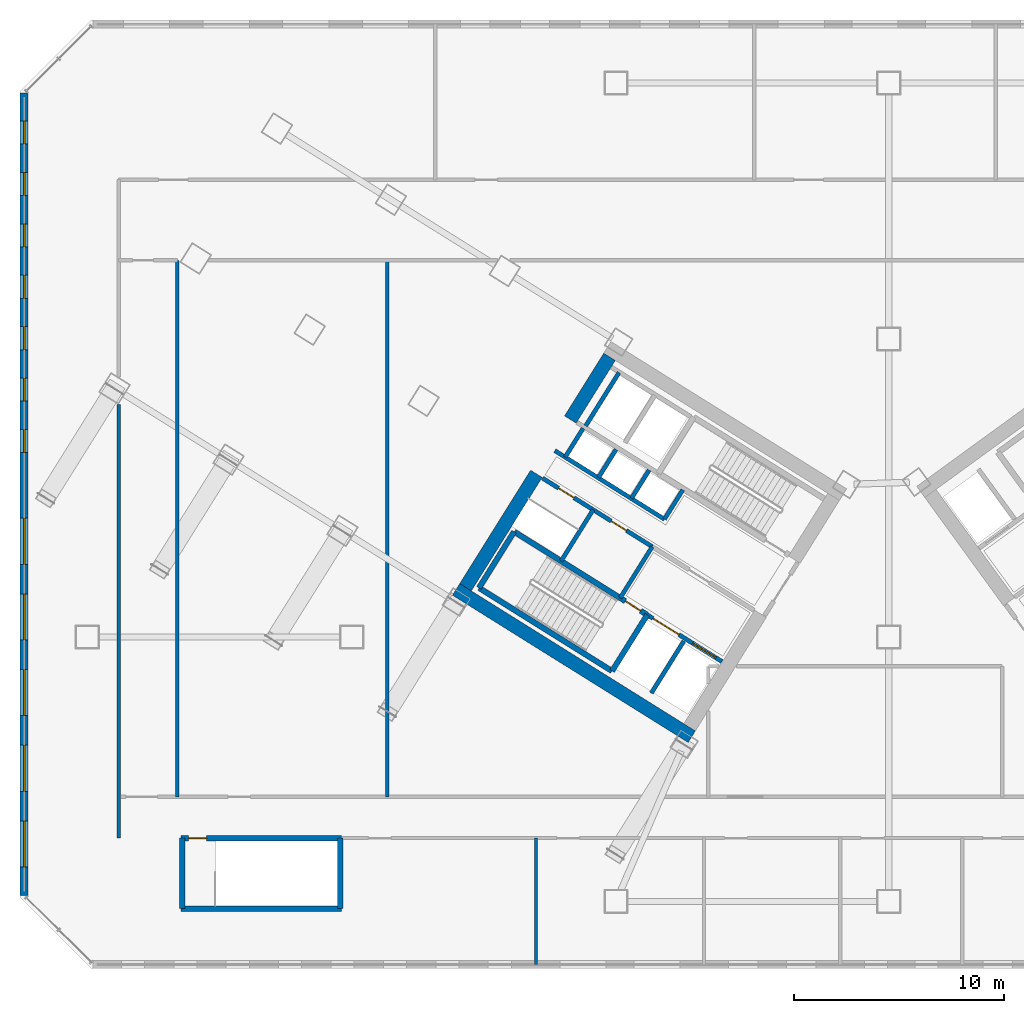
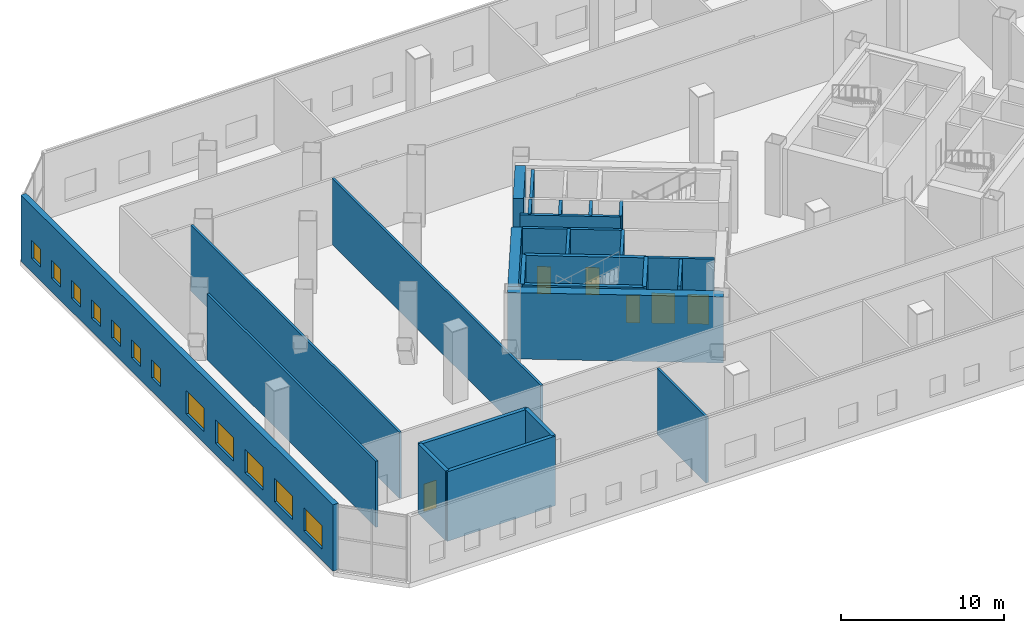
# One storey, part 13 of 23: 27 walls, 12 windows, 6 doors, 18 openings.
"""IFC4 building model written with IfcOpenShell, lengths in metres."""

import ifcopenshell
import ifcopenshell.guid

model = None  # the IFC model being written
_history = None  # IfcOwnerHistory: only IFC2X3 demands one
_inside = {}  # id of a spatial element -> (the spatial element, [elements in it])
_under = {}  # id of a project, library or spatial element -> (it, [spatial elements below it])
_declared = {}  # id of a project -> (the project, [libraries it declares])
_typed = {}  # id of a type object -> (the type object, [elements of that type])
_made_of = {}  # id of a material, layer set ... -> (it, [elements and type objects made of it])


def new_model(schema):
    """Start an empty IFC model of exactly this schema.

    Asked for "IFC4X3", IfcOpenShell would pick the latest addendum, in which some entities
    have other attributes; the version numbers below select the first issue.
    IFC2X3 requires an IfcOwnerHistory on every rooted entity: one is made here for all.
    """
    global model, _history
    if schema == "IFC4X3":
        model = ifcopenshell.file(schema_version=(4, 3, 0, 0))
    else:
        model = ifcopenshell.file(schema=schema)
    _inside.clear()
    _under.clear()
    _declared.clear()
    _typed.clear()
    _made_of.clear()
    _history = None
    if model.schema == "IFC2X3":
        org = make("IfcOrganization", Name="unknown")
        user = make(
            "IfcPersonAndOrganization",
            ThePerson=make("IfcPerson", FamilyName="unknown"),
            TheOrganization=org,
        )
        app = make(
            "IfcApplication",
            ApplicationDeveloper=org,
            Version="unknown",
            ApplicationFullName="unknown",
            ApplicationIdentifier="unknown",
        )
        _history = make(
            "IfcOwnerHistory",
            OwningUser=user,
            OwningApplication=app,
            ChangeAction="ADDED",
            CreationDate=0,
        )
    return model


def make(cls, **values):
    """One entity of the class cls with the attributes given. An attribute that is None is left unset."""
    return model.create_entity(
        cls, **{name: value for name, value in values.items() if value is not None}
    )


def rooted(cls, **values):
    """An entity with a GlobalId (a new one), such as an element, a storey or a relation."""
    return make(cls, GlobalId=ifcopenshell.guid.new(), OwnerHistory=_history, **values)


def si_unit(unit_type, name, prefix=None):
    """IfcSIUnit, for example si_unit("LENGTHUNIT", "METRE", prefix="MILLI")."""
    return make("IfcSIUnit", UnitType=unit_type, Prefix=prefix, Name=name)


def assignment(units):
    """IfcUnitAssignment: the units of a project."""
    return None if units is None else make("IfcUnitAssignment", Units=units)


def point(xyz):
    """IfcCartesianPoint."""
    return None if xyz is None else make("IfcCartesianPoint", Coordinates=xyz)


def direction(xyz):
    """IfcDirection."""
    return None if xyz is None else make("IfcDirection", DirectionRatios=xyz)


def frame(location, z_axis=None, x_axis=None):
    """IfcAxis2Placement3D, a coordinate frame: its origin and axes. An axis left out is left unset."""
    return make(
        "IfcAxis2Placement3D",
        Location=point(location),
        Axis=direction(z_axis),
        RefDirection=direction(x_axis),
    )


def frame_2d(location, x_axis=None):
    """IfcAxis2Placement2D, a coordinate frame in the plane: its origin and x axis."""
    return make(
        "IfcAxis2Placement2D", Location=point(location), RefDirection=direction(x_axis)
    )


def origin():
    """The frame at (0, 0, 0) with its axes left unset."""
    return frame((0.0, 0.0, 0.0))


def place(relative_to, where):
    """IfcLocalPlacement: puts the frame where relative to a parent placement (None: the world)."""
    return make(
        "IfcLocalPlacement", PlacementRelTo=relative_to, RelativePlacement=where
    )


def context(
    kind, dimensions, precision=None, world=None, true_north=None, identifier=None
):
    """IfcGeometricRepresentationContext, for example the 3D "Model" context."""
    return make(
        "IfcGeometricRepresentationContext",
        ContextIdentifier=identifier,
        ContextType=kind,
        CoordinateSpaceDimension=dimensions,
        Precision=precision,
        WorldCoordinateSystem=world,
        TrueNorth=true_north,
    )


def subcontext(parent, identifier, kind, view, scale=None):
    """IfcGeometricRepresentationSubContext, for example "Body" below "Model"."""
    return make(
        "IfcGeometricRepresentationSubContext",
        ContextIdentifier=identifier,
        ContextType=kind,
        ParentContext=parent,
        TargetScale=scale,
        TargetView=view,
    )


def project(units=None, contexts=None):
    """IfcProject with its units and contexts."""
    return rooted(
        "IfcProject",
        Name="project",
        RepresentationContexts=contexts,
        UnitsInContext=assignment(units),
    )


def spatial(cls, under=None, at=None, **own):
    """A site, building, storey or space (cls), placed at a placement, below another one or the project."""
    s = rooted(cls, ObjectPlacement=at, **own)
    if under is not None:
        _under.setdefault(under.id(), (under, []))[1].append(s)
    return s


def profile(cls, at=None, kind="AREA", **sizes):
    """A parametric profile (cls). Its sizes go by their IFC names, for example OverallWidth=200.0."""
    return make(cls, ProfileType=kind, Position=at, **sizes)


def rectangle(**sizes):
    """IfcRectangleProfileDef."""
    return profile("IfcRectangleProfileDef", **sizes)


def extrude(swept, where, along, depth):
    """IfcExtrudedAreaSolid: the profile swept, set in the frame where, extruded along a direction by depth."""
    return make(
        "IfcExtrudedAreaSolid",
        SweptArea=swept,
        Position=where,
        ExtrudedDirection=direction(along),
        Depth=depth,
    )


def shape(context_of_items, identifier, shape_type, items):
    """IfcShapeRepresentation: the items that make up one representation, for example the "Body"."""
    return make(
        "IfcShapeRepresentation",
        ContextOfItems=context_of_items,
        RepresentationIdentifier=identifier,
        RepresentationType=shape_type,
        Items=items,
    )


def source(mapping_origin, context_of_items, identifier, shape_type, items):
    """IfcRepresentationMap: a shape defined once, which mapped items show again and again."""
    return make(
        "IfcRepresentationMap",
        MappingOrigin=mapping_origin,
        MappedRepresentation=shape(context_of_items, identifier, shape_type, items),
    )


def transform(
    local_origin,
    x_axis=None,
    y_axis=None,
    z_axis=None,
    scale=None,
    scale2=None,
    scale3=None,
    uniform=True,
):
    """IfcCartesianTransformationOperator3D, or its non-uniform kind. x_axis, y_axis, z_axis: its Axis1, 2, 3."""
    if uniform:
        return make(
            "IfcCartesianTransformationOperator3D",
            Axis1=direction(x_axis),
            Axis2=direction(y_axis),
            LocalOrigin=point(local_origin),
            Scale=scale,
            Axis3=direction(z_axis),
        )
    return make(
        "IfcCartesianTransformationOperator3DnonUniform",
        Axis1=direction(x_axis),
        Axis2=direction(y_axis),
        LocalOrigin=point(local_origin),
        Scale=scale,
        Axis3=direction(z_axis),
        Scale2=scale2,
        Scale3=scale3,
    )


def mapped(mapping_source, mapping_target):
    """IfcMappedItem: shows the shape of a source again, moved by a transform."""
    return make(
        "IfcMappedItem", MappingSource=mapping_source, MappingTarget=mapping_target
    )


def material(Name=None, Category=None):
    """IfcMaterial."""
    return make("IfcMaterial", Name=Name, Category=Category)


def layer(
    of_material, thickness, ventilated=None, Name=None, Category=None, Priority=None
):
    """IfcMaterialLayer: one layer of a wall or slab, of a material (None: an air gap)."""
    return make(
        "IfcMaterialLayer",
        Material=of_material,
        LayerThickness=thickness,
        IsVentilated=ventilated,
        Name=Name,
        Category=Category,
        Priority=Priority,
    )


def layer_set(layers, Name=None):
    """IfcMaterialLayerSet."""
    return make("IfcMaterialLayerSet", MaterialLayers=layers, LayerSetName=Name)


def made_of(thing, what):
    """Note that an element or type object is made of a material, layer set ...; save() writes the relation."""
    if what is not None:
        _made_of.setdefault(what.id(), (what, []))[1].append(thing)
    return thing


def type_object(cls, material=None, **own):
    """A type object (cls), such as IfcWallType, which elements share."""
    return made_of(rooted(cls, **own), material)


def element(
    cls,
    number,
    at=None,
    inside=None,
    cuts=None,
    type_object=None,
    material=None,
    context=None,
    identifier="Body",
    shape_type=None,
    held_by="IfcProductDefinitionShape",
    body=None,
    shapes=None,
    **own,
):
    """One element of the class cls, such as IfcWall. Its Tag is "e" and its number.

    at: its placement. inside: the storey or other place that contains it. cuts: it is an
    opening in that element (IfcRelVoidsElement). A single representation is given by context,
    identifier, shape_type and body (its items); several are given by shapes. held_by: the class
    of the entity that holds the representations. save() writes the other relations.
    """
    e = rooted(cls, Tag="e%d" % number, ObjectPlacement=at, **own)
    if body is not None:
        shapes = [shape(context, identifier, shape_type, body)]
    if shapes is not None:
        e.Representation = make(held_by, Representations=shapes)
    if inside is not None:
        _inside.setdefault(inside.id(), (inside, []))[1].append(e)
    if cuts is not None:
        rooted(
            "IfcRelVoidsElement", RelatingBuildingElement=cuts, RelatedOpeningElement=e
        )
    if type_object is not None:
        _typed.setdefault(type_object.id(), (type_object, []))[1].append(e)
    return made_of(e, material)


def fill(opening, filler):
    """IfcRelFillsElement: the door or window that sits in an opening."""
    return rooted(
        "IfcRelFillsElement",
        RelatingOpeningElement=opening,
        RelatedBuildingElement=filler,
    )


def aggregate(whole, parts):
    """IfcRelAggregates: a whole, such as a stair, and the parts it consists of."""
    return rooted("IfcRelAggregates", RelatingObject=whole, RelatedObjects=parts)


def save(model, path):
    """Write the relations noted so far, then the file.

    IfcRelAggregates (storeys below a building ...), IfcRelContainedInSpatialStructure (elements
    in a storey), IfcRelDefinesByType, IfcRelAssociatesMaterial and IfcRelDeclares: one each for
    every whole, place, type object, material and project.
    """
    for whole, parts in _under.values():
        aggregate(whole, parts)
    for where, things in _inside.values():
        rooted(
            "IfcRelContainedInSpatialStructure",
            RelatedElements=things,
            RelatingStructure=where,
        )
    for kind, things in _typed.values():
        rooted("IfcRelDefinesByType", RelatedObjects=things, RelatingType=kind)
    for what, things in _made_of.values():
        rooted("IfcRelAssociatesMaterial", RelatedObjects=things, RelatingMaterial=what)
    for by, libraries in _declared.values():
        rooted("IfcRelDeclares", RelatingContext=by, RelatedDefinitions=libraries)
    model.write(path)


model = new_model("IFC4")

# Units and contexts
model_context = context("Model", 3, precision=1e-05, world=origin(), true_north=direction((0.0, 1.0)))
body_context = subcontext(model_context, "Body", "Model", "MODEL_VIEW")
ifc_project = project(units=[si_unit("LENGTHUNIT", "METRE"), si_unit("AREAUNIT", "SQUARE_METRE"), si_unit("VOLUMEUNIT", "CUBIC_METRE"), si_unit("PLANEANGLEUNIT", "RADIAN"), si_unit("MASSUNIT", "GRAM", prefix="KILO")], contexts=[model_context])

# Site, building, storey
site_placement = place(None, origin())
site = spatial("IfcSite", under=ifc_project, at=site_placement, CompositionType="ELEMENT")
building_placement = place(site_placement, origin())
building = spatial("IfcBuilding", under=site, at=building_placement, Name="Tlacorven Tower", CompositionType="ELEMENT")
storey_placement = place(building_placement, frame((0.0, 0.0, 18.60009765625)))
storey = spatial("IfcBuildingStorey", under=building, at=storey_placement, Name="L04", CompositionType="ELEMENT", Elevation=18.60009765625)

# Walls
ifc_material_1 = material(Name="Concrete C60/75", Category="concrete")
ifc_layer_1 = layer(ifc_material_1, 0.64990234375)
ifc_layer_set_1 = layer_set([ifc_layer_1], Name="Concrete C60/75")
wall_type_1 = type_object("IfcWallType", Name="WL-COR-650", PredefinedType="SHEAR", material=ifc_layer_set_1)
wall_1_placement = place(storey_placement, frame((33.40869140625, 12.449951171875, 0.0), z_axis=(0.0, 0.0, 1.0), x_axis=(-0.848051132073, 0.529914405721, 0.0)))
element("IfcWall", 1, at=wall_1_placement, inside=storey, type_object=wall_type_1, Name="L04 W core shear wall S2", PredefinedType="SHEAR", context=body_context, shape_type="SweptSolid", body=[
    extrude(rectangle(XDim=13.239990234375, YDim=0.64990234375, at=frame_2d((6.6201171875, 0.0))), origin(), (0.0, 0.0, 1.0), 4.949951171875),
])
wall_2_placement = place(storey_placement, frame((29.49072265625, 30.5517578125, 0.0), z_axis=(0.0, 0.0, 1.0), x_axis=(-0.529893103397, -0.8480644427, 0.0)))
element("IfcWall", 2, at=wall_2_placement, inside=storey, type_object=wall_type_1, Name="L04 W core end wall E2.1", PredefinedType="SHEAR", context=body_context, shape_type="SweptSolid", body=[
    extrude(rectangle(XDim=3.525146484375, YDim=0.64990234375, at=frame_2d((1.7626953125, 0.0))), origin(), (0.0, 0.0, 1.0), 4.949951171875),
])
wall_3_placement = place(storey_placement, frame((26.006591796875, 24.975830078125, 0.0), z_axis=(0.0, 0.0, 1.0), x_axis=(-0.529916319127, -0.848049936456, 0.0)))
element("IfcWall", 3, at=wall_3_placement, inside=storey, type_object=wall_type_1, Name="L04 W core end wall E2.2", PredefinedType="SHEAR", context=body_context, shape_type="SweptSolid", body=[
    extrude(rectangle(XDim=6.375, YDim=0.64990234375, at=frame_2d((3.1875, 0.0))), origin(), (0.0, 0.0, 1.0), 4.949951171875),
])
ifc_material_2 = material(Name="Gypsum plasterboard acoustic partition", Category="gypsum")
ifc_layer_2 = layer(ifc_material_2, 0.159912109375)
ifc_layer_set_2 = layer_set([ifc_layer_2], Name="Gypsum plasterboard acoustic partition")
wall_type_2 = type_object("IfcWallType", Name="WL-DEM-160", PredefinedType="PARTITIONING", material=ifc_layer_set_2)
wall_4_placement = place(storey_placement, frame((25.989990234375, 1.60009765625, 0.0), z_axis=(0.0, 0.0, 1.0), x_axis=(0.0, 1.0, 0.0)))
element("IfcWall", 4, at=wall_4_placement, inside=storey, type_object=wall_type_2, Name="L04 partition 67", PredefinedType="PARTITIONING", context=body_context, shape_type="SweptSolid", body=[
    extrude(rectangle(XDim=6.02001953125, YDim=0.159912109375, at=frame_2d((3.010009765625, 0.0))), origin(), (0.0, 0.0, 1.0), 4.93994140625),
])
wall_5_placement = place(storey_placement, frame((6.10009765625, 7.6201171875, 0.0), z_axis=(0.0, 0.0, 1.0), x_axis=(0.0, 1.0, 0.0)))
element("IfcWall", 5, at=wall_5_placement, inside=storey, type_object=wall_type_2, Name="L04 partition 73", PredefinedType="PARTITIONING", context=body_context, shape_type="SweptSolid", body=[
    extrude(rectangle(XDim=20.669921875, YDim=0.159912109375, at=frame_2d((10.3349609375, 0.0))), origin(), (0.0, 0.0, 1.0), 4.93994140625),
])
for number, where, z_axis, x_axis, name in (
    (6, (8.89990234375, 9.580078125, 0.0), (0.0, 0.0, 1.0), (0.0, 1.0, 0.0), "L04 partition 74"),
    (7, (18.89990234375, 9.580078125, 0.0), (0.0, 0.0, 1.0), (0.0, 1.0, 0.0), "L04 partition 82"),
):
    element("IfcWall", number, at=place(storey_placement, frame(where, z_axis=z_axis, x_axis=x_axis)), inside=storey, type_object=wall_type_2, Name=name, PredefinedType="PARTITIONING", context=body_context, shape_type="SweptSolid", body=[
        extrude(rectangle(XDim=25.56982421875, YDim=0.159912109375, at=frame_2d((12.784912109375, 0.0))), origin(), (0.0, 0.0, 1.0), 4.93994140625),
    ])

# Wall, openings, windows
ifc_material_3 = material(Name="Precast concrete C45/55", Category="concrete")
ifc_layer_3 = layer(ifc_material_3, 0.3798828125)
ifc_layer_set_3 = layer_set([ifc_layer_3], Name="Precast concrete C45/55")
wall_type_3 = type_object("IfcWallType", Name="WL-EXT-380", PredefinedType="STANDARD", material=ifc_layer_set_3)
wall_6_placement = place(storey_placement, frame((1.60009765625, 4.8828125, 0.0), z_axis=(0.0, 0.0, 1.0), x_axis=(0.0, 1.0, 0.0)))
wall_6 = element("IfcWall", 8, at=wall_6_placement, inside=storey, type_object=wall_type_3, Name="L04 Podium Masonry-Frame Facade Wall 2", PredefinedType="STANDARD", context=body_context, shape_type="SweptSolid", body=[
    extrude(rectangle(XDim=38.234375, YDim=0.3798828125, at=frame_2d((19.1171875, 0.0))), origin(), (0.0, 0.0, 1.0), 4.949951171875),
])
opening_1_placement = place(wall_6_placement, frame((1.353515625, 0.0, 0.85009765625)))
opening_1 = element("IfcOpeningElement", 9, at=opening_1_placement, cuts=wall_6, Name="Opening WN14", PredefinedType="OPENING", context=body_context, shape_type="SweptSolid", body=[
    extrude(rectangle(XDim=2.199951171875, YDim=1.75, at=frame_2d((1.10009765625, 0.875))), frame((0.0, 0.199951171875, 0.0), z_axis=(0.0, -1.0, 0.0), x_axis=(1.0, 0.0, 0.0)), (0.0, 0.0, 1.0), 0.39990234375),
])
opening_2_placement = place(wall_6_placement, frame((4.96044921875, 0.0, 0.85009765625)))
opening_2 = element("IfcOpeningElement", 10, at=opening_2_placement, cuts=wall_6, Name="Opening WN14", PredefinedType="OPENING", context=body_context, shape_type="SweptSolid", body=[
    extrude(rectangle(XDim=2.199951171875, YDim=1.75, at=frame_2d((1.10009765625, 0.875))), frame((0.0, 0.199951171875, 0.0), z_axis=(0.0, -1.0, 0.0), x_axis=(1.0, 0.0, 0.0)), (0.0, 0.0, 1.0), 0.39990234375),
])
opening_3_placement = place(wall_6_placement, frame((8.567626953125, 0.0, 0.85009765625)))
opening_3 = element("IfcOpeningElement", 11, at=opening_3_placement, cuts=wall_6, Name="Opening WN14", PredefinedType="OPENING", context=body_context, shape_type="SweptSolid", body=[
    extrude(rectangle(XDim=2.199951171875, YDim=1.75, at=frame_2d((1.10009765625, 0.875))), frame((0.0, 0.199951171875, 0.0), z_axis=(0.0, -1.0, 0.0), x_axis=(1.0, 0.0, 0.0)), (0.0, 0.0, 1.0), 0.39990234375),
])
opening_4_placement = place(wall_6_placement, frame((12.174560546875, 0.0, 0.85009765625)))
opening_4 = element("IfcOpeningElement", 12, at=opening_4_placement, cuts=wall_6, Name="Opening WN14", PredefinedType="OPENING", context=body_context, shape_type="SweptSolid", body=[
    extrude(rectangle(XDim=2.199951171875, YDim=1.75, at=frame_2d((1.10009765625, 0.875))), frame((0.0, 0.199951171875, 0.0), z_axis=(0.0, -1.0, 0.0), x_axis=(1.0, 0.0, 0.0)), (0.0, 0.0, 1.0), 0.39990234375),
])
opening_5_placement = place(wall_6_placement, frame((15.781494140625, 0.0, 0.85009765625)))
opening_5 = element("IfcOpeningElement", 13, at=opening_5_placement, cuts=wall_6, Name="Opening WN14", PredefinedType="OPENING", context=body_context, shape_type="SweptSolid", body=[
    extrude(rectangle(XDim=2.199951171875, YDim=1.75, at=frame_2d((1.10009765625, 0.875))), frame((0.0, 0.199951171875, 0.0), z_axis=(0.0, -1.0, 0.0), x_axis=(1.0, 0.0, 0.0)), (0.0, 0.0, 1.0), 0.39990234375),
])
opening_6_placement = place(wall_6_placement, frame((21.1025390625, 0.0, 1.0)))
opening_6 = element("IfcOpeningElement", 14, at=opening_6_placement, cuts=wall_6, Name="Opening WN16", PredefinedType="OPENING", context=body_context, shape_type="SweptSolid", body=[
    extrude(rectangle(XDim=1.10009765625, YDim=1.35009765625, at=frame_2d((0.550048828125, 0.675048828125))), frame((0.0, 0.199951171875, 0.0), z_axis=(0.0, -1.0, 0.0), x_axis=(1.0, 0.0, 0.0)), (0.0, 0.0, 1.0), 0.39990234375),
])
opening_7_placement = place(wall_6_placement, frame((23.5537109375, 0.0, 1.0)))
opening_7 = element("IfcOpeningElement", 15, at=opening_7_placement, cuts=wall_6, Name="Opening WN16", PredefinedType="OPENING", context=body_context, shape_type="SweptSolid", body=[
    extrude(rectangle(XDim=1.10009765625, YDim=1.35009765625, at=frame_2d((0.550048828125, 0.675048828125))), frame((0.0, 0.199951171875, 0.0), z_axis=(0.0, -1.0, 0.0), x_axis=(1.0, 0.0, 0.0)), (0.0, 0.0, 1.0), 0.39990234375),
])
opening_8_placement = place(wall_6_placement, frame((26.004638671875, 0.0, 1.0)))
opening_8 = element("IfcOpeningElement", 16, at=opening_8_placement, cuts=wall_6, Name="Opening WN16", PredefinedType="OPENING", context=body_context, shape_type="SweptSolid", body=[
    extrude(rectangle(XDim=1.10009765625, YDim=1.35009765625, at=frame_2d((0.550048828125, 0.675048828125))), frame((0.0, 0.199951171875, 0.0), z_axis=(0.0, -1.0, 0.0), x_axis=(1.0, 0.0, 0.0)), (0.0, 0.0, 1.0), 0.39990234375),
])
opening_9_placement = place(wall_6_placement, frame((28.455810546875, 0.0, 1.0)))
opening_9 = element("IfcOpeningElement", 17, at=opening_9_placement, cuts=wall_6, Name="Opening WN16", PredefinedType="OPENING", context=body_context, shape_type="SweptSolid", body=[
    extrude(rectangle(XDim=1.10009765625, YDim=1.35009765625, at=frame_2d((0.550048828125, 0.675048828125))), frame((0.0, 0.199951171875, 0.0), z_axis=(0.0, -1.0, 0.0), x_axis=(1.0, 0.0, 0.0)), (0.0, 0.0, 1.0), 0.39990234375),
])
opening_10_placement = place(wall_6_placement, frame((30.90673828125, 0.0, 1.0)))
opening_10 = element("IfcOpeningElement", 18, at=opening_10_placement, cuts=wall_6, Name="Opening WN16", PredefinedType="OPENING", context=body_context, shape_type="SweptSolid", body=[
    extrude(rectangle(XDim=1.10009765625, YDim=1.35009765625, at=frame_2d((0.550048828125, 0.675048828125))), frame((0.0, 0.199951171875, 0.0), z_axis=(0.0, -1.0, 0.0), x_axis=(1.0, 0.0, 0.0)), (0.0, 0.0, 1.0), 0.39990234375),
])
opening_11_placement = place(wall_6_placement, frame((33.35791015625, 0.0, 1.0)))
opening_11 = element("IfcOpeningElement", 19, at=opening_11_placement, cuts=wall_6, Name="Opening WN16", PredefinedType="OPENING", context=body_context, shape_type="SweptSolid", body=[
    extrude(rectangle(XDim=1.10009765625, YDim=1.35009765625, at=frame_2d((0.550048828125, 0.675048828125))), frame((0.0, 0.199951171875, 0.0), z_axis=(0.0, -1.0, 0.0), x_axis=(1.0, 0.0, 0.0)), (0.0, 0.0, 1.0), 0.39990234375),
])
opening_12_placement = place(wall_6_placement, frame((35.808837890625, 0.0, 1.0)))
opening_12 = element("IfcOpeningElement", 20, at=opening_12_placement, cuts=wall_6, Name="Opening WN16", PredefinedType="OPENING", context=body_context, shape_type="SweptSolid", body=[
    extrude(rectangle(XDim=1.10009765625, YDim=1.35009765625, at=frame_2d((0.550048828125, 0.675048828125))), frame((0.0, 0.199951171875, 0.0), z_axis=(0.0, -1.0, 0.0), x_axis=(1.0, 0.0, 0.0)), (0.0, 0.0, 1.0), 0.39990234375),
])
ifc_material_4 = material(Name="Dark solar low-E double glazing in anodised aluminium frame", Category="aluminium")
window_type_1 = type_object("IfcWindowType", Name="WN-CLN-2200X1850", PartitioningType="SINGLE_PANEL", PredefinedType="WINDOW", material=ifc_material_4)
shared_shape_1 = source(origin(), body_context, "Body", "SweptSolid", [
    extrude(rectangle(XDim=2.199951171875, YDim=1.75, at=frame_2d((1.10009765625, 0.875))), frame((0.0, 0.030029296875, 0.0), z_axis=(0.0, -1.0, 0.0), x_axis=(1.0, 0.0, 0.0)), (0.0, 0.0, 1.0), 0.06005859375),
])
window_1_placement = place(opening_1_placement, origin())
window_1 = element("IfcWindow", 21, at=window_1_placement, inside=storey, type_object=window_type_1, Name="L04 Podium Recessed Facade Window 2.1", OverallHeight=1.75, OverallWidth=2.199951171875, PartitioningType="SINGLE_PANEL", PredefinedType="WINDOW", context=body_context, shape_type="MappedRepresentation", body=[
    mapped(shared_shape_1, transform((0.0, 0.0, 0.0), scale=1.0)),
])
fill(opening_1, window_1)
window_2_placement = place(opening_2_placement, origin())
window_2 = element("IfcWindow", 22, at=window_2_placement, inside=storey, type_object=window_type_1, Name="L04 Podium Recessed Facade Window 2.2", OverallHeight=1.75, OverallWidth=2.199951171875, PartitioningType="SINGLE_PANEL", PredefinedType="WINDOW", context=body_context, shape_type="MappedRepresentation", body=[
    mapped(shared_shape_1, transform((0.0, 0.0, 0.0), scale=1.0)),
])
fill(opening_2, window_2)
window_3_placement = place(opening_3_placement, origin())
window_3 = element("IfcWindow", 23, at=window_3_placement, inside=storey, type_object=window_type_1, Name="L04 Podium Recessed Facade Window 2.3", OverallHeight=1.75, OverallWidth=2.199951171875, PartitioningType="SINGLE_PANEL", PredefinedType="WINDOW", context=body_context, shape_type="MappedRepresentation", body=[
    mapped(shared_shape_1, transform((0.0, 0.0, 0.0), scale=1.0)),
])
fill(opening_3, window_3)
window_4_placement = place(opening_4_placement, origin())
window_4 = element("IfcWindow", 24, at=window_4_placement, inside=storey, type_object=window_type_1, Name="L04 Podium Recessed Facade Window 2.4", OverallHeight=1.75, OverallWidth=2.199951171875, PartitioningType="SINGLE_PANEL", PredefinedType="WINDOW", context=body_context, shape_type="MappedRepresentation", body=[
    mapped(shared_shape_1, transform((0.0, 0.0, 0.0), scale=1.0)),
])
fill(opening_4, window_4)
window_5_placement = place(opening_5_placement, origin())
window_5 = element("IfcWindow", 25, at=window_5_placement, inside=storey, type_object=window_type_1, Name="L04 Podium Recessed Facade Window 2.5", OverallHeight=1.75, OverallWidth=2.199951171875, PartitioningType="SINGLE_PANEL", PredefinedType="WINDOW", context=body_context, shape_type="MappedRepresentation", body=[
    mapped(shared_shape_1, transform((0.0, 0.0, 0.0), scale=1.0)),
])
fill(opening_5, window_5)
window_type_2 = type_object("IfcWindowType", Name="WN-CLN-1100X1400", PartitioningType="SINGLE_PANEL", PredefinedType="WINDOW", material=ifc_material_4)
shared_shape_2 = source(origin(), body_context, "Body", "SweptSolid", [
    extrude(rectangle(XDim=1.10009765625, YDim=1.35009765625, at=frame_2d((0.550048828125, 0.675048828125))), frame((0.0, 0.030029296875, 0.0), z_axis=(0.0, -1.0, 0.0), x_axis=(1.0, 0.0, 0.0)), (0.0, 0.0, 1.0), 0.06005859375),
])
window_6_placement = place(opening_6_placement, origin())
window_6 = element("IfcWindow", 26, at=window_6_placement, inside=storey, type_object=window_type_2, Name="L04 Podium Recessed Facade Window 2.6", OverallHeight=1.35009765625, OverallWidth=1.10009765625, PartitioningType="SINGLE_PANEL", PredefinedType="WINDOW", context=body_context, shape_type="MappedRepresentation", body=[
    mapped(shared_shape_2, transform((0.0, 0.0, 0.0), scale=1.0)),
])
fill(opening_6, window_6)
window_7_placement = place(opening_7_placement, origin())
window_7 = element("IfcWindow", 27, at=window_7_placement, inside=storey, type_object=window_type_2, Name="L04 Podium Recessed Facade Window 2.7", OverallHeight=1.35009765625, OverallWidth=1.10009765625, PartitioningType="SINGLE_PANEL", PredefinedType="WINDOW", context=body_context, shape_type="MappedRepresentation", body=[
    mapped(shared_shape_2, transform((0.0, 0.0, 0.0), scale=1.0)),
])
fill(opening_7, window_7)
window_8_placement = place(opening_8_placement, origin())
window_8 = element("IfcWindow", 28, at=window_8_placement, inside=storey, type_object=window_type_2, Name="L04 Podium Recessed Facade Window 2.8", OverallHeight=1.35009765625, OverallWidth=1.10009765625, PartitioningType="SINGLE_PANEL", PredefinedType="WINDOW", context=body_context, shape_type="MappedRepresentation", body=[
    mapped(shared_shape_2, transform((0.0, 0.0, 0.0), scale=1.0)),
])
fill(opening_8, window_8)
window_9_placement = place(opening_9_placement, origin())
window_9 = element("IfcWindow", 29, at=window_9_placement, inside=storey, type_object=window_type_2, Name="L04 Podium Recessed Facade Window 2.9", OverallHeight=1.35009765625, OverallWidth=1.10009765625, PartitioningType="SINGLE_PANEL", PredefinedType="WINDOW", context=body_context, shape_type="MappedRepresentation", body=[
    mapped(shared_shape_2, transform((0.0, 0.0, 0.0), scale=1.0)),
])
fill(opening_9, window_9)
window_10_placement = place(opening_10_placement, origin())
window_10 = element("IfcWindow", 30, at=window_10_placement, inside=storey, type_object=window_type_2, Name="L04 Podium Recessed Facade Window 2.10", OverallHeight=1.35009765625, OverallWidth=1.10009765625, PartitioningType="SINGLE_PANEL", PredefinedType="WINDOW", context=body_context, shape_type="MappedRepresentation", body=[
    mapped(shared_shape_2, transform((0.0, 0.0, 0.0), scale=1.0)),
])
fill(opening_10, window_10)
window_11_placement = place(opening_11_placement, origin())
window_11 = element("IfcWindow", 31, at=window_11_placement, inside=storey, type_object=window_type_2, Name="L04 Podium Recessed Facade Window 2.11", OverallHeight=1.35009765625, OverallWidth=1.10009765625, PartitioningType="SINGLE_PANEL", PredefinedType="WINDOW", context=body_context, shape_type="MappedRepresentation", body=[
    mapped(shared_shape_2, transform((0.0, 0.0, 0.0), scale=1.0)),
])
fill(opening_11, window_11)
window_12_placement = place(opening_12_placement, origin())
window_12 = element("IfcWindow", 32, at=window_12_placement, inside=storey, type_object=window_type_2, Name="L04 Podium Recessed Facade Window 2.12", OverallHeight=1.35009765625, OverallWidth=1.10009765625, PartitioningType="SINGLE_PANEL", PredefinedType="WINDOW", context=body_context, shape_type="MappedRepresentation", body=[
    mapped(shared_shape_2, transform((0.0, 0.0, 0.0), scale=1.0)),
])
fill(opening_12, window_12)

# Wall, openings, doors
ifc_material_5 = material(Name="Concrete C40/50", Category="concrete")
ifc_layer_4 = layer(ifc_material_5, 0.199951171875)
ifc_layer_set_4 = layer_set([ifc_layer_4], Name="Concrete C40/50")
wall_type_4 = type_object("IfcWallType", Name="WL-SHF-200", PredefinedType="STANDARD", material=ifc_layer_set_4)
wall_7_placement = place(storey_placement, frame((34.84814453125, 16.03125, 0.0), z_axis=(0.0, 0.0, 1.0), x_axis=(-0.848044042236, 0.529925751807, 0.0)))
wall_7 = element("IfcWall", 33, at=wall_7_placement, inside=storey, type_object=wall_type_4, Name="L04 Core W Firefighting Lift Shaft Front Wall", PredefinedType="STANDARD", context=body_context, shape_type="SweptSolid", body=[
    extrude(rectangle(XDim=4.197998046875, YDim=0.199951171875, at=frame_2d((2.09912109375, 0.0))), origin(), (0.0, 0.0, 1.0), 4.93994140625),
])
opening_13_placement = place(wall_7_placement, frame((0.347900390625, 0.0, 0.0)))
opening_13 = element("IfcOpeningElement", 34, at=opening_13_placement, cuts=wall_7, Name="Opening LD03", PredefinedType="OPENING", context=body_context, shape_type="SweptSolid", body=[
    extrude(rectangle(XDim=1.300048828125, YDim=2.199951171875, at=frame_2d((0.64990234375, 1.10009765625))), frame((0.0, 0.10986328125, 0.0), z_axis=(0.0, -1.0, 0.0), x_axis=(1.0, 0.0, 0.0)), (0.0, 0.0, 1.0), 0.219970703125),
])
opening_14_placement = place(wall_7_placement, frame((2.423095703125, 0.0, 0.0)))
opening_14 = element("IfcOpeningElement", 35, at=opening_14_placement, cuts=wall_7, Name="Opening LD04", PredefinedType="OPENING", context=body_context, shape_type="SweptSolid", body=[
    extrude(rectangle(XDim=1.449951171875, YDim=2.25, at=frame_2d((0.72509765625, 1.125))), frame((0.0, 0.10986328125, 0.0), z_axis=(0.0, -1.0, 0.0), x_axis=(1.0, 0.0, 0.0)), (0.0, 0.0, 1.0), 0.219970703125),
])
ifc_material_6 = material(Name="Fire-rated steel door assembly", Category="steel")
door_type_1 = type_object("IfcDoorType", Name="DR-LFT-SLID-1300", OperationType="DOUBLE_DOOR_SLIDING", PredefinedType="DOOR", material=ifc_material_6)
shared_shape_3 = source(origin(), body_context, "Body", "SweptSolid", [
    extrude(rectangle(XDim=1.300048828125, YDim=2.199951171875, at=frame_2d((0.64990234375, 1.10009765625))), frame((0.0, 0.02490234375, 0.0), z_axis=(0.0, -1.0, 0.0), x_axis=(1.0, 0.0, 0.0)), (0.0, 0.0, 1.0), 0.050048828125),
])
door_1_placement = place(opening_13_placement, origin())
door_1 = element("IfcDoor", 36, at=door_1_placement, inside=storey, type_object=door_type_1, Name="L04 Lift FFL-W1 Sliding Landing Door", OperationType="DOUBLE_DOOR_SLIDING", OverallHeight=2.199951171875, OverallWidth=1.300048828125, PredefinedType="DOOR", context=body_context, shape_type="MappedRepresentation", body=[
    mapped(shared_shape_3, transform((0.0, 0.0, 0.0), scale=1.0)),
])
fill(opening_13, door_1)
door_type_2 = type_object("IfcDoorType", Name="DR-LFT-SLID-1450", OperationType="DOUBLE_DOOR_SLIDING", PredefinedType="DOOR", material=ifc_material_6)
shared_shape_4 = source(origin(), body_context, "Body", "SweptSolid", [
    extrude(rectangle(XDim=1.449951171875, YDim=2.25, at=frame_2d((0.72509765625, 1.125))), frame((0.0, 0.02490234375, 0.0), z_axis=(0.0, -1.0, 0.0), x_axis=(1.0, 0.0, 0.0)), (0.0, 0.0, 1.0), 0.050048828125),
])
door_2_placement = place(opening_14_placement, origin())
door_2 = element("IfcDoor", 37, at=door_2_placement, inside=storey, type_object=door_type_2, Name="L04 Lift SVL-W1 Sliding Landing Door", OperationType="DOUBLE_DOOR_SLIDING", OverallHeight=2.25, OverallWidth=1.449951171875, PredefinedType="DOOR", context=body_context, shape_type="MappedRepresentation", body=[
    mapped(shared_shape_4, transform((0.0, 0.0, 0.0), scale=1.0)),
])
fill(opening_14, door_2)

# Walls
wall_8_placement = place(storey_placement, frame((32.108154296875, 22.81396484375, 0.0), z_axis=(0.0, 0.0, 1.0), x_axis=(-0.848047283855, 0.529920564185, 0.0)))
element("IfcWall", 38, at=wall_8_placement, inside=storey, type_object=wall_type_4, Name="L04 partition 11", PredefinedType="STANDARD", context=body_context, shape_type="SweptSolid", body=[
    extrude(rectangle(XDim=6.16015625, YDim=0.199951171875, at=frame_2d((3.080078125, 0.0))), origin(), (0.0, 0.0, 1.0), 4.93994140625),
])
wall_9_placement = place(storey_placement, frame((32.982421875, 24.21337890625, 0.0), z_axis=(0.0, 0.0, 1.0), x_axis=(-0.529839334948, -0.84809803628, 0.0)))
element("IfcWall", 39, at=wall_9_placement, inside=storey, type_object=wall_type_4, Name="L04 partition 12", PredefinedType="STANDARD", context=body_context, shape_type="SweptSolid", body=[
    extrude(rectangle(XDim=1.650146484375, YDim=0.199951171875, at=frame_2d((0.8251953125, 0.0))), origin(), (0.0, 0.0, 1.0), 4.93994140625),
])
wall_10_placement = place(storey_placement, frame((33.02880859375, 17.003173828125, 0.0), z_axis=(0.0, 0.0, 1.0), x_axis=(-0.529916267533, -0.848049968695, 0.0)))
element("IfcWall", 40, at=wall_10_placement, inside=storey, type_object=wall_type_4, Name="L04 partition 13", PredefinedType="STANDARD", context=body_context, shape_type="SweptSolid", body=[
    extrude(rectangle(XDim=2.919921875, YDim=0.199951171875, at=frame_2d((1.4599609375, 0.0))), origin(), (0.0, 0.0, 1.0), 4.93994140625),
])
wall_11_placement = place(storey_placement, frame((29.94287109375, 29.803466796875, 0.0), z_axis=(0.0, 0.0, 1.0), x_axis=(-0.529874576144, -0.848076018737, 0.0)))
element("IfcWall", 41, at=wall_11_placement, inside=storey, type_object=wall_type_4, Name="L04 partition 17", PredefinedType="STANDARD", context=body_context, shape_type="SweptSolid", body=[
    extrude(rectangle(XDim=3.0, YDim=0.199951171875, at=frame_2d((1.5, 0.0))), origin(), (0.0, 0.0, 1.0), 4.93994140625),
])
for number, where, z_axis, x_axis, name in (
    (42, (31.378662109375, 25.156494140625, 0.0), (0.0, 0.0, 1.0), (-0.529998940003, -0.847998304005, 0.0), "L04 partition 18"),
    (43, (29.80126953125, 26.14208984375, 0.0), (0.0, 0.0, 1.0), (-0.529998940003, -0.847998304005, 0.0), "L04 partition 19"),
):
    element("IfcWall", number, at=place(storey_placement, frame(where, z_axis=z_axis, x_axis=x_axis)), inside=storey, type_object=wall_type_4, Name=name, PredefinedType="STANDARD", context=body_context, shape_type="SweptSolid", body=[
        extrude(rectangle(XDim=1.580078125, YDim=0.199951171875, at=frame_2d((0.7900390625, 0.0))), origin(), (0.0, 0.0, 1.0), 4.93994140625),
    ])
wall_12_placement = place(storey_placement, frame((28.234375, 27.144775390625, 0.0), z_axis=(0.0, 0.0, 1.0), x_axis=(-0.529904106539, -0.848057567547, 0.0)))
element("IfcWall", 44, at=wall_12_placement, inside=storey, type_object=wall_type_4, Name="L04 partition 20", PredefinedType="STANDARD", context=body_context, shape_type="SweptSolid", body=[
    extrude(rectangle(XDim=1.619873046875, YDim=0.199951171875, at=frame_2d((0.81005859375, 0.0))), origin(), (0.0, 0.0, 1.0), 4.93994140625),
])
for number, where, z_axis, x_axis, name in (
    (45, (31.525146484375, 21.503662109375, 0.0), (0.0, 0.0, 1.0), (-0.529907497854, -0.848055448493, 0.0), "L04 partition 21"),
    (46, (28.709716796875, 23.26318359375, 0.0), (0.0, 0.0, 1.0), (-0.529907497854, -0.848055448493, 0.0), "L04 partition 22"),
):
    element("IfcWall", number, at=place(storey_placement, frame(where, z_axis=z_axis, x_axis=x_axis)), inside=storey, type_object=wall_type_4, Name=name, PredefinedType="STANDARD", context=body_context, shape_type="SweptSolid", body=[
        extrude(rectangle(XDim=2.8798828125, YDim=0.199951171875, at=frame_2d((1.43994140625, 0.0))), origin(), (0.0, 0.0, 1.0), 4.93994140625),
    ])

# Wall, openings, doors
wall_13_placement = place(storey_placement, frame((31.525146484375, 21.503662109375, 0.0), z_axis=(0.0, 0.0, 1.0), x_axis=(-0.848044998614, 0.529924221305, 0.0)))
wall_13 = element("IfcWall", 47, at=wall_13_placement, inside=storey, type_object=wall_type_4, Name="L04 Core W North Service Wall", PredefinedType="STANDARD", context=body_context, shape_type="SweptSolid", body=[
    extrude(rectangle(XDim=6.16796875, YDim=0.199951171875, at=frame_2d((3.083984375, 0.0))), origin(), (0.0, 0.0, 1.0), 4.93994140625),
])
opening_15_placement = place(wall_13_placement, frame((4.39990234375, 0.0, 0.0)))
opening_15 = element("IfcOpeningElement", 48, at=opening_15_placement, cuts=wall_13, Name="Opening D19", PredefinedType="OPENING", context=body_context, shape_type="SweptSolid", body=[
    extrude(rectangle(XDim=0.860107421875, YDim=2.050048828125, at=frame_2d((0.43017578125, 1.02490234375))), frame((0.0, 0.10986328125, 0.0), z_axis=(0.0, -1.0, 0.0), x_axis=(1.0, 0.0, 0.0)), (0.0, 0.0, 1.0), 0.219970703125),
])
opening_16_placement = place(wall_13_placement, frame((1.449951171875, 0.0, 0.0)))
opening_16 = element("IfcOpeningElement", 49, at=opening_16_placement, cuts=wall_13, Name="Opening D19", PredefinedType="OPENING", context=body_context, shape_type="SweptSolid", body=[
    extrude(rectangle(XDim=0.860107421875, YDim=2.050048828125, at=frame_2d((0.43017578125, 1.02490234375))), frame((0.0, 0.10986328125, 0.0), z_axis=(0.0, -1.0, 0.0), x_axis=(1.0, 0.0, 0.0)), (0.0, 0.0, 1.0), 0.219970703125),
])
door_type_3 = type_object("IfcDoorType", Name="DR-RSR-FD60-0860", OperationType="NOTDEFINED", PredefinedType="DOOR", material=ifc_material_6)
shared_shape_5 = source(origin(), body_context, "Body", "SweptSolid", [
    extrude(rectangle(XDim=0.860107421875, YDim=2.050048828125, at=frame_2d((0.43017578125, 1.02490234375))), frame((0.0, 0.02490234375, 0.0), z_axis=(0.0, -1.0, 0.0), x_axis=(1.0, 0.0, 0.0)), (0.0, 0.0, 1.0), 0.050048828125),
])
door_3_placement = place(opening_15_placement, frame((0.860107421875, 0.0, 0.0), z_axis=(0.0, 0.0, 1.0), x_axis=(-1.0, 0.0, 0.0)))
door_3 = element("IfcDoor", 50, at=door_3_placement, inside=storey, type_object=door_type_3, Name="L04 Electrical Riser Access Door W", OperationType="SINGLE_SWING_LEFT", OverallHeight=2.050048828125, OverallWidth=0.860107421875, PredefinedType="DOOR", context=body_context, shape_type="MappedRepresentation", body=[
    mapped(shared_shape_5, transform((0.0, 0.0, 0.0), scale=1.0)),
])
fill(opening_15, door_3)
door_4_placement = place(opening_16_placement, frame((0.860107421875, 0.0, 0.0), z_axis=(0.0, 0.0, 1.0), x_axis=(-1.0, 0.0, 0.0)))
door_4 = element("IfcDoor", 51, at=door_4_placement, inside=storey, type_object=door_type_3, Name="L04 Housekeeping Linen Access Door W", OperationType="SINGLE_SWING_RIGHT", OverallHeight=2.050048828125, OverallWidth=0.860107421875, PredefinedType="DOOR", context=body_context, shape_type="MappedRepresentation", body=[
    mapped(shared_shape_5, transform((0.0, 0.0, 0.0), scale=1.0)),
])
fill(opening_16, door_4)

# Wall
ifc_material_7 = material(Name="Concrete C50/60", Category="concrete")
ifc_layer_5 = layer(ifc_material_7, 0.260009765625)
ifc_layer_set_5 = layer_set([ifc_layer_5], Name="Concrete C50/60")
wall_type_5 = type_object("IfcWallType", Name="WL-STW-260", PredefinedType="SHEAR", material=ifc_layer_set_5)
wall_14_placement = place(storey_placement, frame((29.60498046875, 15.581298828125, 0.0), z_axis=(0.0, 0.0, 1.0), x_axis=(-0.848036911448, 0.529937163087, 0.0)))
element("IfcWall", 52, at=wall_14_placement, inside=storey, type_object=wall_type_5, Name="L04 Stair W1 Far Shear Wall", PredefinedType="SHEAR", context=body_context, shape_type="SweptSolid", body=[
    extrude(rectangle(XDim=7.4599609375, YDim=0.260009765625, at=frame_2d((3.72998046875, 0.0))), origin(), (0.0, 0.0, 1.0), 4.949951171875),
])

# Wall, opening, door
wall_15_placement = place(storey_placement, frame((31.279541015625, 18.26123046875, 0.0), z_axis=(0.0, 0.0, 1.0), x_axis=(-0.848051618787, 0.529913626805, 0.0)))
wall_15 = element("IfcWall", 53, at=wall_15_placement, inside=storey, type_object=wall_type_5, Name="L04 Stair W1 Lobby Shear Wall", PredefinedType="SHEAR", context=body_context, shape_type="SweptSolid", body=[
    extrude(rectangle(XDim=7.4599609375, YDim=0.260009765625, at=frame_2d((3.72998046875, 0.0))), origin(), (0.0, 0.0, 1.0), 4.949951171875),
])
opening_17_placement = place(wall_15_placement, frame((0.360107421875, 0.0, 0.0)))
opening_17 = element("IfcOpeningElement", 54, at=opening_17_placement, cuts=wall_15, Name="Opening D19", PredefinedType="OPENING", context=body_context, shape_type="SweptSolid", body=[
    extrude(rectangle(XDim=0.860107421875, YDim=2.050048828125, at=frame_2d((0.43017578125, 1.02490234375))), frame((0.0, 0.14013671875, 0.0), z_axis=(0.0, -1.0, 0.0), x_axis=(1.0, 0.0, 0.0)), (0.0, 0.0, 1.0), 0.280029296875),
])
door_5_placement = place(opening_17_placement, frame((0.860107421875, 0.0, 0.0), z_axis=(0.0, 0.0, 1.0), x_axis=(-1.0, 0.0, 0.0)))
door_5 = element("IfcDoor", 55, at=door_5_placement, inside=storey, type_object=door_type_3, Name="L04 Exit Stair W1 Fire Door", OperationType="SINGLE_SWING_LEFT", OverallHeight=2.050048828125, OverallWidth=0.860107421875, PredefinedType="DOOR", context=body_context, shape_type="MappedRepresentation", body=[
    mapped(shared_shape_5, transform((0.0, 0.0, 0.0), scale=1.0)),
])
fill(opening_17, door_5)

# Walls
wall_16_placement = place(storey_placement, frame((31.2880859375, 18.255859375, 0.0), z_axis=(0.0, 0.0, 1.0), x_axis=(-0.529943379326, -0.848033026897, 0.0)))
element("IfcWall", 56, at=wall_16_placement, inside=storey, type_object=wall_type_5, Name="L04 Stair W1 West Shear Wall", PredefinedType="SHEAR", context=body_context, shape_type="SweptSolid", body=[
    extrude(rectangle(XDim=3.159912109375, YDim=0.260009765625, at=frame_2d((1.580078125, 0.0))), origin(), (0.0, 0.0, 1.0), 4.949951171875),
])
wall_17_placement = place(storey_placement, frame((24.944580078125, 22.2197265625, 0.0), z_axis=(0.0, 0.0, 1.0), x_axis=(-0.529908658664, -0.84805472316, 0.0)))
element("IfcWall", 57, at=wall_17_placement, inside=storey, type_object=wall_type_5, Name="L04 Stair W1 East Shear Wall", PredefinedType="SHEAR", context=body_context, shape_type="SweptSolid", body=[
    extrude(rectangle(XDim=3.16015625, YDim=0.260009765625, at=frame_2d((1.580078125, 0.0))), origin(), (0.0, 0.0, 1.0), 4.949951171875),
])

# Wall, opening, door
wall_18_placement = place(storey_placement, frame((9.070068359375, 7.6201171875, 0.0), z_axis=(0.0, 0.0, 1.0), x_axis=(1.0, 0.0, 0.0)))
wall_18 = element("IfcWall", 58, at=wall_18_placement, inside=storey, type_object=wall_type_5, Name="L04 Stair P1 North Wall", PredefinedType="SHEAR", context=body_context, shape_type="SweptSolid", body=[
    extrude(rectangle(XDim=7.659912109375, YDim=0.260009765625, at=frame_2d((3.830078125, 0.0))), origin(), (0.0, 0.0, 1.0), 5.199951171875),
])
opening_18_placement = place(wall_18_placement, frame((0.360107421875, 0.0, 0.0)))
opening_18 = element("IfcOpeningElement", 59, at=opening_18_placement, cuts=wall_18, Name="Opening D19", PredefinedType="OPENING", context=body_context, shape_type="SweptSolid", body=[
    extrude(rectangle(XDim=0.860107421875, YDim=2.050048828125, at=frame_2d((0.43017578125, 1.02490234375))), frame((0.0, 0.14013671875, 0.0), z_axis=(0.0, -1.0, 0.0), x_axis=(1.0, 0.0, 0.0)), (0.0, 0.0, 1.0), 0.280029296875),
])
door_6_placement = place(opening_18_placement, origin())
door_6 = element("IfcDoor", 60, at=door_6_placement, inside=storey, type_object=door_type_3, Name="L04 door 019", OperationType="SINGLE_SWING_LEFT", OverallHeight=2.050048828125, OverallWidth=0.860107421875, PredefinedType="DOOR", context=body_context, shape_type="MappedRepresentation", body=[
    mapped(shared_shape_5, transform((0.0, 0.0, 0.0), scale=1.0)),
])
fill(opening_18, door_6)

# Walls
wall_19_placement = place(storey_placement, frame((9.070068359375, 4.260009765625, 0.0), z_axis=(0.0, 0.0, 1.0), x_axis=(1.0, 0.0, 0.0)))
element("IfcWall", 61, at=wall_19_placement, inside=storey, type_object=wall_type_5, Name="L04 Stair P1 South Wall", PredefinedType="SHEAR", context=body_context, shape_type="SweptSolid", body=[
    extrude(rectangle(XDim=7.659912109375, YDim=0.260009765625, at=frame_2d((3.830078125, 0.0))), origin(), (0.0, 0.0, 1.0), 5.199951171875),
])
for number, where, z_axis, x_axis, name in (
    (62, (9.139892578125, 4.260009765625, 0.0), (0.0, 0.0, 1.0), (0.0, 1.0, 0.0), "L04 Stair P1 West Wall"),
    (63, (16.659912109375, 4.260009765625, 0.0), (0.0, 0.0, 1.0), (0.0, 1.0, 0.0), "L04 Stair P1 East Wall"),
):
    element("IfcWall", number, at=place(storey_placement, frame(where, z_axis=z_axis, x_axis=x_axis)), inside=storey, type_object=wall_type_5, Name=name, PredefinedType="SHEAR", context=body_context, shape_type="SweptSolid", body=[
        extrude(rectangle(XDim=3.360107421875, YDim=0.260009765625, at=frame_2d((1.68017578125, 0.0))), origin(), (0.0, 0.0, 1.0), 5.199951171875),
    ])

save(model, "model.ifc")
